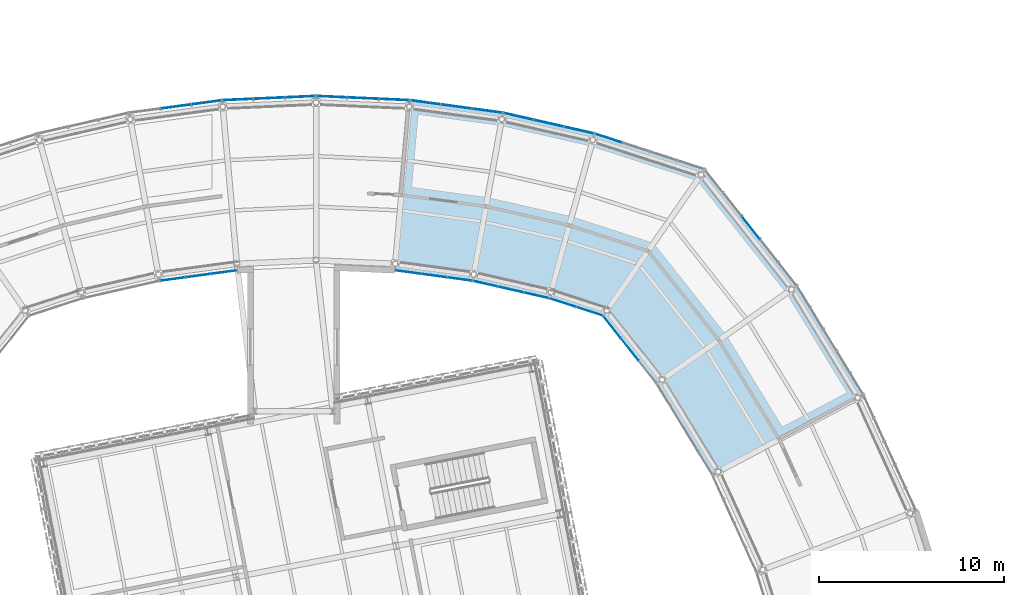
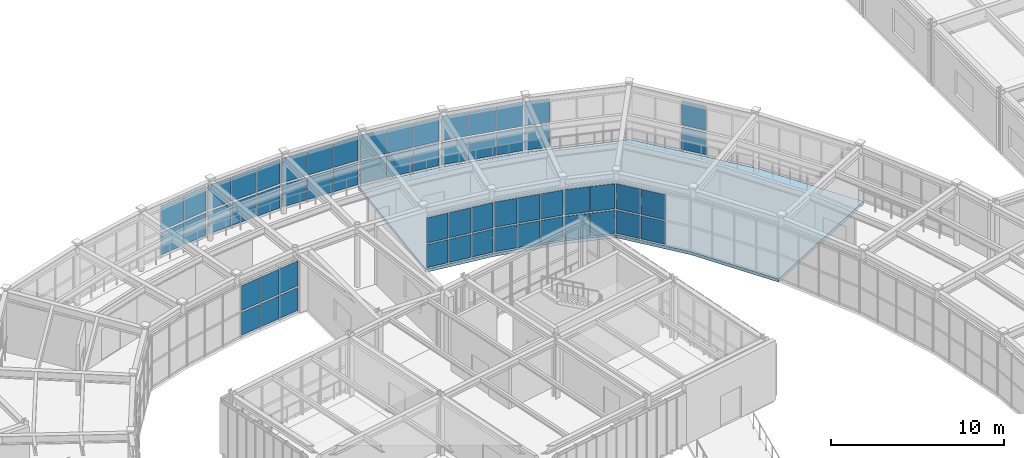
# One storey, part 66 of 103: 58 plates, 1 slab, 12 elements without a shape of their own.
"""IFC4 building model written with IfcOpenShell, lengths in metres."""

from ifc_helpers import new_model, si_unit, direction, frame, origin, origin_2d, place, context, subcontext, project, spatial, polyline, rectangle, outline, extrude, material, layer, layer_set, type_object, element, aggregate, save


model = new_model("IFC4")

# Units and contexts
model_context = context("Model", 3, precision=1e-05, world=origin(), true_north=direction((0.0, 1.0)))
body_context = subcontext(model_context, "Body", "Model", "MODEL_VIEW")
ifc_project = project(units=[si_unit("LENGTHUNIT", "METRE"), si_unit("AREAUNIT", "SQUARE_METRE"), si_unit("VOLUMEUNIT", "CUBIC_METRE"), si_unit("PLANEANGLEUNIT", "RADIAN"), si_unit("MASSUNIT", "GRAM", prefix="KILO")], contexts=[model_context])

# Site, building, storey
site_placement = place(None, origin())
site = spatial("IfcSite", under=ifc_project, at=site_placement, CompositionType="ELEMENT")
building_placement = place(site_placement, origin())
building = spatial("IfcBuilding", under=site, at=building_placement, Name="Varnklinge Art Gallery", CompositionType="ELEMENT")
storey_placement = place(building_placement, frame((0.0, 0.0, 5.10009765625)))
storey = spatial("IfcBuildingStorey", under=building, at=storey_placement, Name="L01", CompositionType="ELEMENT", Elevation=5.10009765625)

# Curtain wall, plates
ifc_material_1 = material(Name="Anodised Aluminium", Category="aluminium")
curtain_wall_type_1 = type_object("IfcCurtainWallType", Name="CW-R04", PredefinedType="USERDEFINED", material=ifc_material_1)
curtain_wall_1_placement = place(storey_placement, origin())
curtain_wall_1 = element("IfcCurtainWall", 1, at=curtain_wall_1_placement, inside=storey, type_object=curtain_wall_type_1, Name="L01 Curtain Wall CW-V2I-L01-12", ObjectType="UNITISED CURTAIN WALL", PredefinedType="USERDEFINED")
ifc_material_2 = material(Name="Insulated Low-E Triple Glazing", Category="glass")
ifc_layer_1 = layer(ifc_material_2, 0.031982421875)
ifc_layer_set_1 = layer_set([ifc_layer_1], Name="Insulated Low-E Triple Glazing")
plate_type_1 = type_object("IfcPlateType", Name="GLZ-32", PredefinedType="CURTAIN_PANEL", material=ifc_layer_set_1)
plate_1_placement = place(storey_placement, frame((91.47705078125, 85.133544921875, 0.11767578125), z_axis=(0.0, 0.0, 1.0), x_axis=(0.620737354217, -0.784018582101, 0.0)))
plate_1 = element("IfcPlate", 2, at=plate_1_placement, type_object=plate_type_1, Name="CW-V2I-L01-12 Glazing Panel 1.1", PredefinedType="CURTAIN_PANEL", context=body_context, shape_type="SweptSolid", body=[
    extrude(rectangle(XDim=1.4658203125, YDim=0.031982421875, at=origin_2d()), origin(), (0.0, 0.0, 1.0), 1.614501953125),
])
plate_2_placement = place(storey_placement, frame((91.47705078125, 85.133544921875, 1.84814453125), z_axis=(0.0, 0.0, 1.0), x_axis=(0.620737354217, -0.784018582101, 0.0)))
plate_2 = element("IfcPlate", 3, at=plate_2_placement, type_object=plate_type_1, Name="CW-V2I-L01-12 Glazing Panel 1.2", PredefinedType="CURTAIN_PANEL", context=body_context, shape_type="SweptSolid", body=[
    extrude(rectangle(XDim=1.4658203125, YDim=0.031982421875, at=origin_2d()), origin(), (0.0, 0.0, 1.0), 1.763671875),
])
plate_3_placement = place(storey_placement, frame((92.430908203125, 83.9287109375, 0.11767578125), z_axis=(0.0, 0.0, 1.0), x_axis=(0.620737354217, -0.784018582101, 0.0)))
plate_3 = element("IfcPlate", 4, at=plate_3_placement, type_object=plate_type_1, Name="CW-V2I-L01-12 Glazing Panel 2.1", PredefinedType="CURTAIN_PANEL", context=body_context, shape_type="SweptSolid", body=[
    extrude(rectangle(XDim=1.495849609375, YDim=0.031982421875, at=origin_2d()), origin(), (0.0, 0.0, 1.0), 1.614501953125),
])
plate_4_placement = place(storey_placement, frame((92.430908203125, 83.9287109375, 1.84814453125), z_axis=(0.0, 0.0, 1.0), x_axis=(0.620737354217, -0.784018582101, 0.0)))
plate_4 = element("IfcPlate", 5, at=plate_4_placement, type_object=plate_type_1, Name="CW-V2I-L01-12 Glazing Panel 2.2", PredefinedType="CURTAIN_PANEL", context=body_context, shape_type="SweptSolid", body=[
    extrude(rectangle(XDim=1.495849609375, YDim=0.031982421875, at=origin_2d()), origin(), (0.0, 0.0, 1.0), 1.763671875),
])
aggregate(curtain_wall_1, [plate_1, plate_2, plate_3, plate_4])

curtain_wall_2_placement = place(storey_placement, origin())
curtain_wall_2 = element("IfcCurtainWall", 6, at=curtain_wall_2_placement, inside=storey, type_object=curtain_wall_type_1, Name="L01 Curtain Wall CW-V2I-L01-13", ObjectType="UNITISED CURTAIN WALL", PredefinedType="USERDEFINED")
plate_5_placement = place(storey_placement, frame((88.819580078125, 86.45556640625, 0.11767578125), z_axis=(0.0, 0.0, 1.0), x_axis=(0.951272019071, -0.30835295642, 0.0)))
plate_5 = element("IfcPlate", 7, at=plate_5_placement, type_object=plate_type_1, Name="CW-V2I-L01-13 Glazing Panel 1.1", PredefinedType="CURTAIN_PANEL", context=body_context, shape_type="SweptSolid", body=[
    extrude(rectangle(XDim=1.442138671875, YDim=0.031982421875, at=origin_2d()), origin(), (0.0, 0.0, 1.0), 1.614501953125),
])
plate_6_placement = place(storey_placement, frame((88.819580078125, 86.45556640625, 1.84814453125), z_axis=(0.0, 0.0, 1.0), x_axis=(0.951272019071, -0.30835295642, 0.0)))
plate_6 = element("IfcPlate", 8, at=plate_6_placement, type_object=plate_type_1, Name="CW-V2I-L01-13 Glazing Panel 1.2", PredefinedType="CURTAIN_PANEL", context=body_context, shape_type="SweptSolid", body=[
    extrude(rectangle(XDim=1.442138671875, YDim=0.031982421875, at=origin_2d()), origin(), (0.0, 0.0, 1.0), 1.763671875),
])
plate_7_placement = place(storey_placement, frame((90.244873046875, 85.993896484375, 0.11767578125), z_axis=(0.0, 0.0, 1.0), x_axis=(0.951272019071, -0.30835295642, 0.0)))
plate_7 = element("IfcPlate", 9, at=plate_7_placement, type_object=plate_type_1, Name="CW-V2I-L01-13 Glazing Panel 2.1", PredefinedType="CURTAIN_PANEL", context=body_context, shape_type="SweptSolid", body=[
    extrude(rectangle(XDim=1.442138671875, YDim=0.031982421875, at=origin_2d()), origin(), (0.0, 0.0, 1.0), 1.614501953125),
])
plate_8_placement = place(storey_placement, frame((90.244873046875, 85.993896484375, 1.84814453125), z_axis=(0.0, 0.0, 1.0), x_axis=(0.951272019071, -0.30835295642, 0.0)))
plate_8 = element("IfcPlate", 10, at=plate_8_placement, type_object=plate_type_1, Name="CW-V2I-L01-13 Glazing Panel 2.2", PredefinedType="CURTAIN_PANEL", context=body_context, shape_type="SweptSolid", body=[
    extrude(rectangle(XDim=1.442138671875, YDim=0.031982421875, at=origin_2d()), origin(), (0.0, 0.0, 1.0), 1.763671875),
])
aggregate(curtain_wall_2, [plate_5, plate_6, plate_7, plate_8])

curtain_wall_3_placement = place(storey_placement, origin())
curtain_wall_3 = element("IfcCurtainWall", 11, at=curtain_wall_3_placement, inside=storey, type_object=curtain_wall_type_1, Name="L01 Curtain Wall CW-V2I-L01-14", ObjectType="UNITISED CURTAIN WALL", PredefinedType="USERDEFINED")
plate_9_placement = place(storey_placement, frame((84.64599609375, 87.47705078125, 0.11767578125), z_axis=(0.0, 0.0, 1.0), x_axis=(0.975071959883, -0.221888875454, 0.0)))
plate_9 = element("IfcPlate", 12, at=plate_9_placement, type_object=plate_type_1, Name="CW-V2I-L01-14 Glazing Panel 1.1", PredefinedType="CURTAIN_PANEL", context=body_context, shape_type="SweptSolid", body=[
    extrude(rectangle(XDim=1.328125, YDim=0.031982421875, at=origin_2d()), origin(), (0.0, 0.0, 1.0), 1.614501953125),
])
plate_10_placement = place(storey_placement, frame((84.64599609375, 87.47705078125, 1.84814453125), z_axis=(0.0, 0.0, 1.0), x_axis=(0.975071959883, -0.221888875454, 0.0)))
plate_10 = element("IfcPlate", 13, at=plate_10_placement, type_object=plate_type_1, Name="CW-V2I-L01-14 Glazing Panel 1.2", PredefinedType="CURTAIN_PANEL", context=body_context, shape_type="SweptSolid", body=[
    extrude(rectangle(XDim=1.328125, YDim=0.031982421875, at=origin_2d()), origin(), (0.0, 0.0, 1.0), 1.763671875),
])
plate_11_placement = place(storey_placement, frame((86.01025390625, 87.16650390625, 0.11767578125), z_axis=(0.0, 0.0, 1.0), x_axis=(0.975071959883, -0.221888875454, 0.0)))
plate_11 = element("IfcPlate", 14, at=plate_11_placement, type_object=plate_type_1, Name="CW-V2I-L01-14 Glazing Panel 2.1", PredefinedType="CURTAIN_PANEL", context=body_context, shape_type="SweptSolid", body=[
    extrude(rectangle(XDim=1.358154296875, YDim=0.031982421875, at=origin_2d()), origin(), (0.0, 0.0, 1.0), 1.614501953125),
])
plate_12_placement = place(storey_placement, frame((86.01025390625, 87.16650390625, 1.84814453125), z_axis=(0.0, 0.0, 1.0), x_axis=(0.975071959883, -0.221888875454, 0.0)))
plate_12 = element("IfcPlate", 15, at=plate_12_placement, type_object=plate_type_1, Name="CW-V2I-L01-14 Glazing Panel 2.2", PredefinedType="CURTAIN_PANEL", context=body_context, shape_type="SweptSolid", body=[
    extrude(rectangle(XDim=1.358154296875, YDim=0.031982421875, at=origin_2d()), origin(), (0.0, 0.0, 1.0), 1.763671875),
])
plate_13_placement = place(storey_placement, frame((87.37451171875, 86.856201171875, 0.11767578125), z_axis=(0.0, 0.0, 1.0), x_axis=(0.975071959883, -0.221888875454, 0.0)))
plate_13 = element("IfcPlate", 16, at=plate_13_placement, type_object=plate_type_1, Name="CW-V2I-L01-14 Glazing Panel 3.1", PredefinedType="CURTAIN_PANEL", context=body_context, shape_type="SweptSolid", body=[
    extrude(rectangle(XDim=1.328125, YDim=0.031982421875, at=origin_2d()), origin(), (0.0, 0.0, 1.0), 1.614501953125),
])
plate_14_placement = place(storey_placement, frame((87.37451171875, 86.856201171875, 1.84814453125), z_axis=(0.0, 0.0, 1.0), x_axis=(0.975071959883, -0.221888875454, 0.0)))
plate_14 = element("IfcPlate", 17, at=plate_14_placement, type_object=plate_type_1, Name="CW-V2I-L01-14 Glazing Panel 3.2", PredefinedType="CURTAIN_PANEL", context=body_context, shape_type="SweptSolid", body=[
    extrude(rectangle(XDim=1.328125, YDim=0.031982421875, at=origin_2d()), origin(), (0.0, 0.0, 1.0), 1.763671875),
])
aggregate(curtain_wall_3, [plate_9, plate_10, plate_11, plate_12, plate_13, plate_14])

curtain_wall_4_placement = place(storey_placement, origin())
curtain_wall_4 = element("IfcCurtainWall", 18, at=curtain_wall_4_placement, inside=storey, type_object=curtain_wall_type_1, Name="L01 Curtain Wall CW-V2I-L01-15", ObjectType="UNITISED CURTAIN WALL", PredefinedType="USERDEFINED")
plate_15_placement = place(storey_placement, frame((80.45361328125, 88.10888671875, 0.11767578125), z_axis=(0.0, 0.0, 1.0), x_axis=(0.990983199715, -0.133986185418, 0.0)))
plate_15 = element("IfcPlate", 19, at=plate_15_placement, type_object=plate_type_1, Name="CW-V2I-L01-15 Glazing Panel 1.1", PredefinedType="CURTAIN_PANEL", context=body_context, shape_type="SweptSolid", body=[
    extrude(rectangle(XDim=1.328125, YDim=0.031982421875, at=origin_2d()), origin(), (0.0, 0.0, 1.0), 1.614501953125),
])
plate_16_placement = place(storey_placement, frame((80.45361328125, 88.10888671875, 1.84814453125), z_axis=(0.0, 0.0, 1.0), x_axis=(0.990983199715, -0.133986185418, 0.0)))
plate_16 = element("IfcPlate", 20, at=plate_16_placement, type_object=plate_type_1, Name="CW-V2I-L01-15 Glazing Panel 1.2", PredefinedType="CURTAIN_PANEL", context=body_context, shape_type="SweptSolid", body=[
    extrude(rectangle(XDim=1.328125, YDim=0.031982421875, at=origin_2d()), origin(), (0.0, 0.0, 1.0), 1.763671875),
])
plate_17_placement = place(storey_placement, frame((81.840087890625, 87.92138671875, 0.11767578125), z_axis=(0.0, 0.0, 1.0), x_axis=(0.990983199715, -0.133986185418, 0.0)))
plate_17 = element("IfcPlate", 21, at=plate_17_placement, type_object=plate_type_1, Name="CW-V2I-L01-15 Glazing Panel 2.1", PredefinedType="CURTAIN_PANEL", context=body_context, shape_type="SweptSolid", body=[
    extrude(rectangle(XDim=1.358154296875, YDim=0.031982421875, at=origin_2d()), origin(), (0.0, 0.0, 1.0), 1.614501953125),
])
plate_18_placement = place(storey_placement, frame((81.840087890625, 87.92138671875, 1.84814453125), z_axis=(0.0, 0.0, 1.0), x_axis=(0.990983199715, -0.133986185418, 0.0)))
plate_18 = element("IfcPlate", 22, at=plate_18_placement, type_object=plate_type_1, Name="CW-V2I-L01-15 Glazing Panel 2.2", PredefinedType="CURTAIN_PANEL", context=body_context, shape_type="SweptSolid", body=[
    extrude(rectangle(XDim=1.358154296875, YDim=0.031982421875, at=origin_2d()), origin(), (0.0, 0.0, 1.0), 1.763671875),
])
plate_19_placement = place(storey_placement, frame((83.2265625, 87.734130859375, 0.11767578125), z_axis=(0.0, 0.0, 1.0), x_axis=(0.990983199715, -0.133986185418, 0.0)))
plate_19 = element("IfcPlate", 23, at=plate_19_placement, type_object=plate_type_1, Name="CW-V2I-L01-15 Glazing Panel 3.1", PredefinedType="CURTAIN_PANEL", context=body_context, shape_type="SweptSolid", body=[
    extrude(rectangle(XDim=1.328125, YDim=0.031982421875, at=origin_2d()), origin(), (0.0, 0.0, 1.0), 1.614501953125),
])
plate_20_placement = place(storey_placement, frame((83.2265625, 87.734130859375, 1.84814453125), z_axis=(0.0, 0.0, 1.0), x_axis=(0.990983199715, -0.133986185418, 0.0)))
plate_20 = element("IfcPlate", 24, at=plate_20_placement, type_object=plate_type_1, Name="CW-V2I-L01-15 Glazing Panel 3.2", PredefinedType="CURTAIN_PANEL", context=body_context, shape_type="SweptSolid", body=[
    extrude(rectangle(XDim=1.328125, YDim=0.031982421875, at=origin_2d()), origin(), (0.0, 0.0, 1.0), 1.763671875),
])
aggregate(curtain_wall_4, [plate_15, plate_16, plate_17, plate_18, plate_19, plate_20])

curtain_wall_5_placement = place(storey_placement, origin())
curtain_wall_5 = element("IfcCurtainWall", 25, at=curtain_wall_5_placement, inside=storey, type_object=curtain_wall_type_1, Name="L01 Curtain Wall CW-V2I-L01-18", ObjectType="UNITISED CURTAIN WALL", PredefinedType="USERDEFINED")
plate_21_placement = place(storey_placement, frame((67.7734375, 87.734130859375, 0.11767578125), z_axis=(0.0, 0.0, 1.0), x_axis=(0.990983199715, 0.133986185418, 0.0)))
plate_21 = element("IfcPlate", 26, at=plate_21_placement, type_object=plate_type_1, Name="CW-V2I-L01-18 Glazing Panel 1.1", PredefinedType="CURTAIN_PANEL", context=body_context, shape_type="SweptSolid", body=[
    extrude(rectangle(XDim=1.328125, YDim=0.031982421875, at=origin_2d()), origin(), (0.0, 0.0, 1.0), 1.614501953125),
])
plate_22_placement = place(storey_placement, frame((67.7734375, 87.734130859375, 1.84814453125), z_axis=(0.0, 0.0, 1.0), x_axis=(0.990983199715, 0.133986185418, 0.0)))
plate_22 = element("IfcPlate", 27, at=plate_22_placement, type_object=plate_type_1, Name="CW-V2I-L01-18 Glazing Panel 1.2", PredefinedType="CURTAIN_PANEL", context=body_context, shape_type="SweptSolid", body=[
    extrude(rectangle(XDim=1.328125, YDim=0.031982421875, at=origin_2d()), origin(), (0.0, 0.0, 1.0), 1.763671875),
])
plate_23_placement = place(storey_placement, frame((69.159912109375, 87.92138671875, 0.11767578125), z_axis=(0.0, 0.0, 1.0), x_axis=(0.990983199715, 0.133986185418, 0.0)))
plate_23 = element("IfcPlate", 28, at=plate_23_placement, type_object=plate_type_1, Name="CW-V2I-L01-18 Glazing Panel 2.1", PredefinedType="CURTAIN_PANEL", context=body_context, shape_type="SweptSolid", body=[
    extrude(rectangle(XDim=1.358154296875, YDim=0.031982421875, at=origin_2d()), origin(), (0.0, 0.0, 1.0), 1.614501953125),
])
plate_24_placement = place(storey_placement, frame((69.159912109375, 87.92138671875, 1.84814453125), z_axis=(0.0, 0.0, 1.0), x_axis=(0.990983199715, 0.133986185418, 0.0)))
plate_24 = element("IfcPlate", 29, at=plate_24_placement, type_object=plate_type_1, Name="CW-V2I-L01-18 Glazing Panel 2.2", PredefinedType="CURTAIN_PANEL", context=body_context, shape_type="SweptSolid", body=[
    extrude(rectangle(XDim=1.358154296875, YDim=0.031982421875, at=origin_2d()), origin(), (0.0, 0.0, 1.0), 1.763671875),
])
plate_25_placement = place(storey_placement, frame((70.54638671875, 88.10888671875, 0.11767578125), z_axis=(0.0, 0.0, 1.0), x_axis=(0.990983199715, 0.133986185418, 0.0)))
plate_25 = element("IfcPlate", 30, at=plate_25_placement, type_object=plate_type_1, Name="CW-V2I-L01-18 Glazing Panel 3.1", PredefinedType="CURTAIN_PANEL", context=body_context, shape_type="SweptSolid", body=[
    extrude(rectangle(XDim=1.328125, YDim=0.031982421875, at=origin_2d()), origin(), (0.0, 0.0, 1.0), 1.614501953125),
])
plate_26_placement = place(storey_placement, frame((70.54638671875, 88.10888671875, 1.84814453125), z_axis=(0.0, 0.0, 1.0), x_axis=(0.990983199715, 0.133986185418, 0.0)))
plate_26 = element("IfcPlate", 31, at=plate_26_placement, type_object=plate_type_1, Name="CW-V2I-L01-18 Glazing Panel 3.2", PredefinedType="CURTAIN_PANEL", context=body_context, shape_type="SweptSolid", body=[
    extrude(rectangle(XDim=1.328125, YDim=0.031982421875, at=origin_2d()), origin(), (0.0, 0.0, 1.0), 1.763671875),
])
aggregate(curtain_wall_5, [plate_21, plate_22, plate_23, plate_24, plate_25, plate_26])

ifc_material_3 = material(Name="Anodised Aluminium", Category="aluminium")
curtain_wall_type_2 = type_object("IfcCurtainWallType", Name="CW-R02", PredefinedType="USERDEFINED", material=ifc_material_3)
curtain_wall_6_placement = place(storey_placement, origin())
curtain_wall_6 = element("IfcCurtainWall", 32, at=curtain_wall_6_placement, inside=storey, type_object=curtain_wall_type_2, Name="L01 Curtain Wall CW-V2O-L01-12", ObjectType="UNITISED CURTAIN WALL", PredefinedType="USERDEFINED")
ifc_material_4 = material(Name="Insulated Low-E Triple Glazing", Category="glass")
ifc_layer_2 = layer(ifc_material_4, 0.0380859375)
ifc_layer_set_2 = layer_set([ifc_layer_2], Name="Insulated Low-E Triple Glazing")
plate_type_2 = type_object("IfcPlateType", Name="GLZ-38", PredefinedType="CURTAIN_PANEL", material=ifc_layer_set_2)
plate_27_placement = place(storey_placement, frame((98.953857421875, 90.510986328125, 0.14794921875), z_axis=(0.0, 0.0, 1.0), x_axis=(-0.620737354217, 0.784018582101, 0.0)))
plate_27 = element("IfcPlate", 33, at=plate_27_placement, type_object=plate_type_2, Name="CW-V2O-L01-12 Glazing Panel 3.1", PredefinedType="CURTAIN_PANEL", context=body_context, shape_type="SweptSolid", body=[
    extrude(rectangle(XDim=1.5390625, YDim=0.0380859375, at=origin_2d()), origin(), (0.0, 0.0, 1.0), 1.5693359375),
])
plate_28_placement = place(storey_placement, frame((98.953857421875, 90.510986328125, 1.86328125), z_axis=(0.0, 0.0, 1.0), x_axis=(-0.620737354217, 0.784018582101, 0.0)))
plate_28 = element("IfcPlate", 34, at=plate_28_placement, type_object=plate_type_2, Name="CW-V2O-L01-12 Glazing Panel 3.2", PredefinedType="CURTAIN_PANEL", context=body_context, shape_type="SweptSolid", body=[
    extrude(rectangle(XDim=1.5390625, YDim=0.0380859375, at=origin_2d()), origin(), (0.0, 0.0, 1.0), 1.718505859375),
])
aggregate(curtain_wall_6, [plate_27, plate_28])

curtain_wall_7_placement = place(storey_placement, origin())
curtain_wall_7 = element("IfcCurtainWall", 35, at=curtain_wall_7_placement, inside=storey, type_object=curtain_wall_type_2, Name="L01 Curtain Wall CW-V2O-L01-13", ObjectType="UNITISED CURTAIN WALL", PredefinedType="USERDEFINED")
plate_29_placement = place(storey_placement, frame((91.281494140625, 95.328857421875, 0.14794921875), z_axis=(0.0, 0.0, 1.0), x_axis=(-0.951272019071, 0.30835295642, 0.0)))
plate_29 = element("IfcPlate", 36, at=plate_29_placement, type_object=plate_type_2, Name="CW-V2O-L01-13 Glazing Panel 4.1", PredefinedType="CURTAIN_PANEL", context=body_context, shape_type="SweptSolid", body=[
    extrude(rectangle(XDim=1.469482421875, YDim=0.0380859375, at=origin_2d()), origin(), (0.0, 0.0, 1.0), 1.5693359375),
])
plate_30_placement = place(storey_placement, frame((91.281494140625, 95.328857421875, 1.86328125), z_axis=(0.0, 0.0, 1.0), x_axis=(-0.951272019071, 0.30835295642, 0.0)))
plate_30 = element("IfcPlate", 37, at=plate_30_placement, type_object=plate_type_2, Name="CW-V2O-L01-13 Glazing Panel 4.2", PredefinedType="CURTAIN_PANEL", context=body_context, shape_type="SweptSolid", body=[
    extrude(rectangle(XDim=1.469482421875, YDim=0.0380859375, at=origin_2d()), origin(), (0.0, 0.0, 1.0), 1.718505859375),
])
aggregate(curtain_wall_7, [plate_29, plate_30])

curtain_wall_8_placement = place(storey_placement, origin())
curtain_wall_8 = element("IfcCurtainWall", 38, at=curtain_wall_8_placement, inside=storey, type_object=curtain_wall_type_1, Name="L01 Curtain Wall CW-V2O-L01-14", ObjectType="UNITISED CURTAIN WALL", PredefinedType="USERDEFINED")
plate_31_placement = place(storey_placement, frame((89.683349609375, 95.765869140625, 0.14794921875), z_axis=(0.0, 0.0, 1.0), x_axis=(-0.975071959883, 0.221888875454, 0.0)))
plate_31 = element("IfcPlate", 39, at=plate_31_placement, type_object=plate_type_2, Name="CW-V2O-L01-14 Glazing Panel 1.1", PredefinedType="CURTAIN_PANEL", context=body_context, shape_type="SweptSolid", body=[
    extrude(rectangle(XDim=1.59521484375, YDim=0.0380859375, at=origin_2d()), origin(), (0.0, 0.0, 1.0), 1.5693359375),
])
plate_32_placement = place(storey_placement, frame((89.683349609375, 95.765869140625, 1.86328125), z_axis=(0.0, 0.0, 1.0), x_axis=(-0.975071959883, 0.221888875454, 0.0)))
plate_32 = element("IfcPlate", 40, at=plate_32_placement, type_object=plate_type_2, Name="CW-V2O-L01-14 Glazing Panel 1.2", PredefinedType="CURTAIN_PANEL", context=body_context, shape_type="SweptSolid", body=[
    extrude(rectangle(XDim=1.59521484375, YDim=0.0380859375, at=origin_2d()), origin(), (0.0, 0.0, 1.0), 1.718505859375),
])
plate_33_placement = place(storey_placement, frame((88.052490234375, 96.13720703125, 0.14794921875), z_axis=(0.0, 0.0, 1.0), x_axis=(-0.975071959883, 0.221888875454, 0.0)))
plate_33 = element("IfcPlate", 41, at=plate_33_placement, type_object=plate_type_2, Name="CW-V2O-L01-14 Glazing Panel 2.1", PredefinedType="CURTAIN_PANEL", context=body_context, shape_type="SweptSolid", body=[
    extrude(rectangle(XDim=1.627685546875, YDim=0.0380859375, at=origin_2d()), origin(), (0.0, 0.0, 1.0), 1.5693359375),
])
plate_34_placement = place(storey_placement, frame((88.052490234375, 96.13720703125, 1.86328125), z_axis=(0.0, 0.0, 1.0), x_axis=(-0.975071959883, 0.221888875454, 0.0)))
plate_34 = element("IfcPlate", 42, at=plate_34_placement, type_object=plate_type_2, Name="CW-V2O-L01-14 Glazing Panel 2.2", PredefinedType="CURTAIN_PANEL", context=body_context, shape_type="SweptSolid", body=[
    extrude(rectangle(XDim=1.627685546875, YDim=0.0380859375, at=origin_2d()), origin(), (0.0, 0.0, 1.0), 1.718505859375),
])
plate_35_placement = place(storey_placement, frame((86.421630859375, 96.50830078125, 0.14794921875), z_axis=(0.0, 0.0, 1.0), x_axis=(-0.975071959883, 0.221888875454, 0.0)))
plate_35 = element("IfcPlate", 43, at=plate_35_placement, type_object=plate_type_2, Name="CW-V2O-L01-14 Glazing Panel 3.1", PredefinedType="CURTAIN_PANEL", context=body_context, shape_type="SweptSolid", body=[
    extrude(rectangle(XDim=1.59521484375, YDim=0.0380859375, at=origin_2d()), origin(), (0.0, 0.0, 1.0), 1.5693359375),
])
plate_36_placement = place(storey_placement, frame((86.421630859375, 96.50830078125, 1.86328125), z_axis=(0.0, 0.0, 1.0), x_axis=(-0.975071959883, 0.221888875454, 0.0)))
plate_36 = element("IfcPlate", 44, at=plate_36_placement, type_object=plate_type_2, Name="CW-V2O-L01-14 Glazing Panel 3.2", PredefinedType="CURTAIN_PANEL", context=body_context, shape_type="SweptSolid", body=[
    extrude(rectangle(XDim=1.59521484375, YDim=0.0380859375, at=origin_2d()), origin(), (0.0, 0.0, 1.0), 1.718505859375),
])
aggregate(curtain_wall_8, [plate_31, plate_32, plate_33, plate_34, plate_35, plate_36])

curtain_wall_9_placement = place(storey_placement, origin())
curtain_wall_9 = element("IfcCurtainWall", 45, at=curtain_wall_9_placement, inside=storey, type_object=curtain_wall_type_1, Name="L01 Curtain Wall CW-V2O-L01-15", ObjectType="UNITISED CURTAIN WALL", PredefinedType="USERDEFINED")
plate_37_placement = place(storey_placement, frame((84.7294921875, 96.814697265625, 0.14794921875), z_axis=(0.0, 0.0, 1.0), x_axis=(-0.990983199715, 0.133986185418, 0.0)))
plate_37 = element("IfcPlate", 46, at=plate_37_placement, type_object=plate_type_2, Name="CW-V2O-L01-15 Glazing Panel 1.1", PredefinedType="CURTAIN_PANEL", context=body_context, shape_type="SweptSolid", body=[
    extrude(rectangle(XDim=1.59521484375, YDim=0.0380859375, at=origin_2d()), origin(), (0.0, 0.0, 1.0), 1.5693359375),
])
plate_38_placement = place(storey_placement, frame((84.7294921875, 96.814697265625, 1.86328125), z_axis=(0.0, 0.0, 1.0), x_axis=(-0.990983199715, 0.133986185418, 0.0)))
plate_38 = element("IfcPlate", 47, at=plate_38_placement, type_object=plate_type_2, Name="CW-V2O-L01-15 Glazing Panel 1.2", PredefinedType="CURTAIN_PANEL", context=body_context, shape_type="SweptSolid", body=[
    extrude(rectangle(XDim=1.59521484375, YDim=0.0380859375, at=origin_2d()), origin(), (0.0, 0.0, 1.0), 1.718505859375),
])
plate_39_placement = place(storey_placement, frame((83.072021484375, 97.03857421875, 0.14794921875), z_axis=(0.0, 0.0, 1.0), x_axis=(-0.990983199715, 0.133986185418, 0.0)))
plate_39 = element("IfcPlate", 48, at=plate_39_placement, type_object=plate_type_2, Name="CW-V2O-L01-15 Glazing Panel 2.1", PredefinedType="CURTAIN_PANEL", context=body_context, shape_type="SweptSolid", body=[
    extrude(rectangle(XDim=1.627685546875, YDim=0.0380859375, at=origin_2d()), origin(), (0.0, 0.0, 1.0), 1.5693359375),
])
plate_40_placement = place(storey_placement, frame((83.072021484375, 97.03857421875, 1.86328125), z_axis=(0.0, 0.0, 1.0), x_axis=(-0.990983199715, 0.133986185418, 0.0)))
plate_40 = element("IfcPlate", 49, at=plate_40_placement, type_object=plate_type_2, Name="CW-V2O-L01-15 Glazing Panel 2.2", PredefinedType="CURTAIN_PANEL", context=body_context, shape_type="SweptSolid", body=[
    extrude(rectangle(XDim=1.627685546875, YDim=0.0380859375, at=origin_2d()), origin(), (0.0, 0.0, 1.0), 1.718505859375),
])
plate_41_placement = place(storey_placement, frame((81.41455078125, 97.2626953125, 0.14794921875), z_axis=(0.0, 0.0, 1.0), x_axis=(-0.990983199715, 0.133986185418, 0.0)))
plate_41 = element("IfcPlate", 50, at=plate_41_placement, type_object=plate_type_2, Name="CW-V2O-L01-15 Glazing Panel 3.1", PredefinedType="CURTAIN_PANEL", context=body_context, shape_type="SweptSolid", body=[
    extrude(rectangle(XDim=1.59521484375, YDim=0.0380859375, at=origin_2d()), origin(), (0.0, 0.0, 1.0), 1.5693359375),
])
plate_42_placement = place(storey_placement, frame((81.41455078125, 97.2626953125, 1.86328125), z_axis=(0.0, 0.0, 1.0), x_axis=(-0.990983199715, 0.133986185418, 0.0)))
plate_42 = element("IfcPlate", 51, at=plate_42_placement, type_object=plate_type_2, Name="CW-V2O-L01-15 Glazing Panel 3.2", PredefinedType="CURTAIN_PANEL", context=body_context, shape_type="SweptSolid", body=[
    extrude(rectangle(XDim=1.59521484375, YDim=0.0380859375, at=origin_2d()), origin(), (0.0, 0.0, 1.0), 1.718505859375),
])
aggregate(curtain_wall_9, [plate_37, plate_38, plate_39, plate_40, plate_41, plate_42])

curtain_wall_10_placement = place(storey_placement, origin())
curtain_wall_10 = element("IfcCurtainWall", 52, at=curtain_wall_10_placement, inside=storey, type_object=curtain_wall_type_1, Name="L01 Curtain Wall CW-V2O-L01-16", ObjectType="UNITISED CURTAIN WALL", PredefinedType="USERDEFINED")
plate_43_placement = place(storey_placement, frame((79.701904296875, 97.41650390625, 0.14794921875), z_axis=(0.0, 0.0, 1.0), x_axis=(-0.999001995685, 0.044665564108, 0.0)))
plate_43 = element("IfcPlate", 53, at=plate_43_placement, type_object=plate_type_2, Name="CW-V2O-L01-16 Glazing Panel 1.1", PredefinedType="CURTAIN_PANEL", context=body_context, shape_type="SweptSolid", body=[
    extrude(rectangle(XDim=1.595458984375, YDim=0.0380859375, at=origin_2d()), origin(), (0.0, 0.0, 1.0), 1.5693359375),
])
plate_44_placement = place(storey_placement, frame((79.701904296875, 97.41650390625, 1.86328125), z_axis=(0.0, 0.0, 1.0), x_axis=(-0.999001995685, 0.044665564108, 0.0)))
plate_44 = element("IfcPlate", 54, at=plate_44_placement, type_object=plate_type_2, Name="CW-V2O-L01-16 Glazing Panel 1.2", PredefinedType="CURTAIN_PANEL", context=body_context, shape_type="SweptSolid", body=[
    extrude(rectangle(XDim=1.595458984375, YDim=0.0380859375, at=origin_2d()), origin(), (0.0, 0.0, 1.0), 1.718505859375),
])
plate_45_placement = place(storey_placement, frame((78.03076171875, 97.4912109375, 0.14794921875), z_axis=(0.0, 0.0, 1.0), x_axis=(-0.999001995685, 0.044665564108, 0.0)))
plate_45 = element("IfcPlate", 55, at=plate_45_placement, type_object=plate_type_2, Name="CW-V2O-L01-16 Glazing Panel 2.1", PredefinedType="CURTAIN_PANEL", context=body_context, shape_type="SweptSolid", body=[
    extrude(rectangle(XDim=1.6279296875, YDim=0.0380859375, at=origin_2d()), origin(), (0.0, 0.0, 1.0), 1.5693359375),
])
plate_46_placement = place(storey_placement, frame((78.03076171875, 97.4912109375, 1.86328125), z_axis=(0.0, 0.0, 1.0), x_axis=(-0.999001995685, 0.044665564108, 0.0)))
plate_46 = element("IfcPlate", 56, at=plate_46_placement, type_object=plate_type_2, Name="CW-V2O-L01-16 Glazing Panel 2.2", PredefinedType="CURTAIN_PANEL", context=body_context, shape_type="SweptSolid", body=[
    extrude(rectangle(XDim=1.6279296875, YDim=0.0380859375, at=origin_2d()), origin(), (0.0, 0.0, 1.0), 1.718505859375),
])
plate_47_placement = place(storey_placement, frame((76.35986328125, 97.566162109375, 0.14794921875), z_axis=(0.0, 0.0, 1.0), x_axis=(-0.999001995685, 0.044665564108, 0.0)))
plate_47 = element("IfcPlate", 57, at=plate_47_placement, type_object=plate_type_2, Name="CW-V2O-L01-16 Glazing Panel 3.1", PredefinedType="CURTAIN_PANEL", context=body_context, shape_type="SweptSolid", body=[
    extrude(rectangle(XDim=1.595458984375, YDim=0.0380859375, at=origin_2d()), origin(), (0.0, 0.0, 1.0), 1.5693359375),
])
plate_48_placement = place(storey_placement, frame((76.35986328125, 97.566162109375, 1.86328125), z_axis=(0.0, 0.0, 1.0), x_axis=(-0.999001995685, 0.044665564108, 0.0)))
plate_48 = element("IfcPlate", 58, at=plate_48_placement, type_object=plate_type_2, Name="CW-V2O-L01-16 Glazing Panel 3.2", PredefinedType="CURTAIN_PANEL", context=body_context, shape_type="SweptSolid", body=[
    extrude(rectangle(XDim=1.595458984375, YDim=0.0380859375, at=origin_2d()), origin(), (0.0, 0.0, 1.0), 1.718505859375),
])
aggregate(curtain_wall_10, [plate_43, plate_44, plate_45, plate_46, plate_47, plate_48])

curtain_wall_11_placement = place(storey_placement, origin())
curtain_wall_11 = element("IfcCurtainWall", 59, at=curtain_wall_11_placement, inside=storey, type_object=curtain_wall_type_1, Name="L01 Curtain Wall CW-V2O-L01-17", ObjectType="UNITISED CURTAIN WALL", PredefinedType="USERDEFINED")
plate_49_placement = place(storey_placement, frame((74.64013671875, 97.566162109375, 0.14794921875), z_axis=(0.0, 0.0, 1.0), x_axis=(-0.999001995685, -0.044665564108, 0.0)))
plate_49 = element("IfcPlate", 60, at=plate_49_placement, type_object=plate_type_2, Name="CW-V2O-L01-17 Glazing Panel 1.1", PredefinedType="CURTAIN_PANEL", context=body_context, shape_type="SweptSolid", body=[
    extrude(rectangle(XDim=1.595458984375, YDim=0.0380859375, at=origin_2d()), origin(), (0.0, 0.0, 1.0), 1.5693359375),
])
plate_50_placement = place(storey_placement, frame((74.64013671875, 97.566162109375, 1.86328125), z_axis=(0.0, 0.0, 1.0), x_axis=(-0.999001995685, -0.044665564108, 0.0)))
plate_50 = element("IfcPlate", 61, at=plate_50_placement, type_object=plate_type_2, Name="CW-V2O-L01-17 Glazing Panel 1.2", PredefinedType="CURTAIN_PANEL", context=body_context, shape_type="SweptSolid", body=[
    extrude(rectangle(XDim=1.595458984375, YDim=0.0380859375, at=origin_2d()), origin(), (0.0, 0.0, 1.0), 1.718505859375),
])
plate_51_placement = place(storey_placement, frame((72.96923828125, 97.4912109375, 0.14794921875), z_axis=(0.0, 0.0, 1.0), x_axis=(-0.999001995685, -0.044665564108, 0.0)))
plate_51 = element("IfcPlate", 62, at=plate_51_placement, type_object=plate_type_2, Name="CW-V2O-L01-17 Glazing Panel 2.1", PredefinedType="CURTAIN_PANEL", context=body_context, shape_type="SweptSolid", body=[
    extrude(rectangle(XDim=1.6279296875, YDim=0.0380859375, at=origin_2d()), origin(), (0.0, 0.0, 1.0), 1.5693359375),
])
plate_52_placement = place(storey_placement, frame((72.96923828125, 97.4912109375, 1.86328125), z_axis=(0.0, 0.0, 1.0), x_axis=(-0.999001995685, -0.044665564108, 0.0)))
plate_52 = element("IfcPlate", 63, at=plate_52_placement, type_object=plate_type_2, Name="CW-V2O-L01-17 Glazing Panel 2.2", PredefinedType="CURTAIN_PANEL", context=body_context, shape_type="SweptSolid", body=[
    extrude(rectangle(XDim=1.6279296875, YDim=0.0380859375, at=origin_2d()), origin(), (0.0, 0.0, 1.0), 1.718505859375),
])
plate_53_placement = place(storey_placement, frame((71.298095703125, 97.41650390625, 0.14794921875), z_axis=(0.0, 0.0, 1.0), x_axis=(-0.999001995685, -0.044665564108, 0.0)))
plate_53 = element("IfcPlate", 64, at=plate_53_placement, type_object=plate_type_2, Name="CW-V2O-L01-17 Glazing Panel 3.1", PredefinedType="CURTAIN_PANEL", context=body_context, shape_type="SweptSolid", body=[
    extrude(rectangle(XDim=1.595458984375, YDim=0.0380859375, at=origin_2d()), origin(), (0.0, 0.0, 1.0), 1.5693359375),
])
plate_54_placement = place(storey_placement, frame((71.298095703125, 97.41650390625, 1.86328125), z_axis=(0.0, 0.0, 1.0), x_axis=(-0.999001995685, -0.044665564108, 0.0)))
plate_54 = element("IfcPlate", 65, at=plate_54_placement, type_object=plate_type_2, Name="CW-V2O-L01-17 Glazing Panel 3.2", PredefinedType="CURTAIN_PANEL", context=body_context, shape_type="SweptSolid", body=[
    extrude(rectangle(XDim=1.595458984375, YDim=0.0380859375, at=origin_2d()), origin(), (0.0, 0.0, 1.0), 1.718505859375),
])
aggregate(curtain_wall_11, [plate_49, plate_50, plate_51, plate_52, plate_53, plate_54])

curtain_wall_12_placement = place(storey_placement, origin())
curtain_wall_12 = element("IfcCurtainWall", 66, at=curtain_wall_12_placement, inside=storey, type_object=curtain_wall_type_1, Name="L01 Curtain Wall CW-V2O-L01-18", ObjectType="UNITISED CURTAIN WALL", PredefinedType="USERDEFINED")
plate_55_placement = place(storey_placement, frame((69.58544921875, 97.2626953125, 0.14794921875), z_axis=(0.0, 0.0, 1.0), x_axis=(-0.990983199715, -0.133986185418, 0.0)))
plate_55 = element("IfcPlate", 67, at=plate_55_placement, type_object=plate_type_2, Name="CW-V2O-L01-18 Glazing Panel 1.1", PredefinedType="CURTAIN_PANEL", context=body_context, shape_type="SweptSolid", body=[
    extrude(rectangle(XDim=1.59521484375, YDim=0.0380859375, at=origin_2d()), origin(), (0.0, 0.0, 1.0), 1.5693359375),
])
plate_56_placement = place(storey_placement, frame((69.58544921875, 97.2626953125, 1.86328125), z_axis=(0.0, 0.0, 1.0), x_axis=(-0.990983199715, -0.133986185418, 0.0)))
plate_56 = element("IfcPlate", 68, at=plate_56_placement, type_object=plate_type_2, Name="CW-V2O-L01-18 Glazing Panel 1.2", PredefinedType="CURTAIN_PANEL", context=body_context, shape_type="SweptSolid", body=[
    extrude(rectangle(XDim=1.59521484375, YDim=0.0380859375, at=origin_2d()), origin(), (0.0, 0.0, 1.0), 1.718505859375),
])
plate_57_placement = place(storey_placement, frame((67.927978515625, 97.03857421875, 0.14794921875), z_axis=(0.0, 0.0, 1.0), x_axis=(-0.990983199715, -0.133986185418, 0.0)))
plate_57 = element("IfcPlate", 69, at=plate_57_placement, type_object=plate_type_2, Name="CW-V2O-L01-18 Glazing Panel 2.1", PredefinedType="CURTAIN_PANEL", context=body_context, shape_type="SweptSolid", body=[
    extrude(rectangle(XDim=1.627685546875, YDim=0.0380859375, at=origin_2d()), origin(), (0.0, 0.0, 1.0), 1.5693359375),
])
plate_58_placement = place(storey_placement, frame((67.927978515625, 97.03857421875, 1.86328125), z_axis=(0.0, 0.0, 1.0), x_axis=(-0.990983199715, -0.133986185418, 0.0)))
plate_58 = element("IfcPlate", 70, at=plate_58_placement, type_object=plate_type_2, Name="CW-V2O-L01-18 Glazing Panel 2.2", PredefinedType="CURTAIN_PANEL", context=body_context, shape_type="SweptSolid", body=[
    extrude(rectangle(XDim=1.627685546875, YDim=0.0380859375, at=origin_2d()), origin(), (0.0, 0.0, 1.0), 1.718505859375),
])
aggregate(curtain_wall_12, [plate_55, plate_56, plate_57, plate_58])

# Slab
ifc_material_5 = material(Name="Concrete C35/45", Category="concrete")
ifc_layer_3 = layer(ifc_material_5, 0.219970703125)
ifc_layer_set_3 = layer_set([ifc_layer_3], Name="Concrete C35/45")
slab_type = type_object("IfcSlabType", Name="SLB-F22", PredefinedType="FLOOR", material=ifc_layer_set_3)
slab_placement = place(storey_placement, frame((0.0, 0.0, -0.22021484375)))
element("IfcSlab", 71, at=slab_placement, inside=storey, type_object=slab_type, Name="L01 Curved Gallery Ring Sector 3", PredefinedType="FLOOR", context=body_context, shape_type="SweptSolid", body=[
    extrude(outline(polyline([(101.43701171875, 87.375), (96.470703125, 93.647216796875), (90.522705078125, 95.57470703125), (85.58251953125, 96.699462890625), (80.5615234375, 97.3779296875), (79.738037109375, 88.20556640625), (83.942138671875, 87.637451171875), (88.07861328125, 86.69580078125), (90.986083984375, 85.753662109375), (93.8759765625, 82.103515625), (96.88037109375, 77.180908203125), (105.025390625, 81.494873046875), (101.43701171875, 87.375)])), origin(), (0.0, 0.0, 1.0), 0.22021484375),
])

save(model, "model.ifc")
